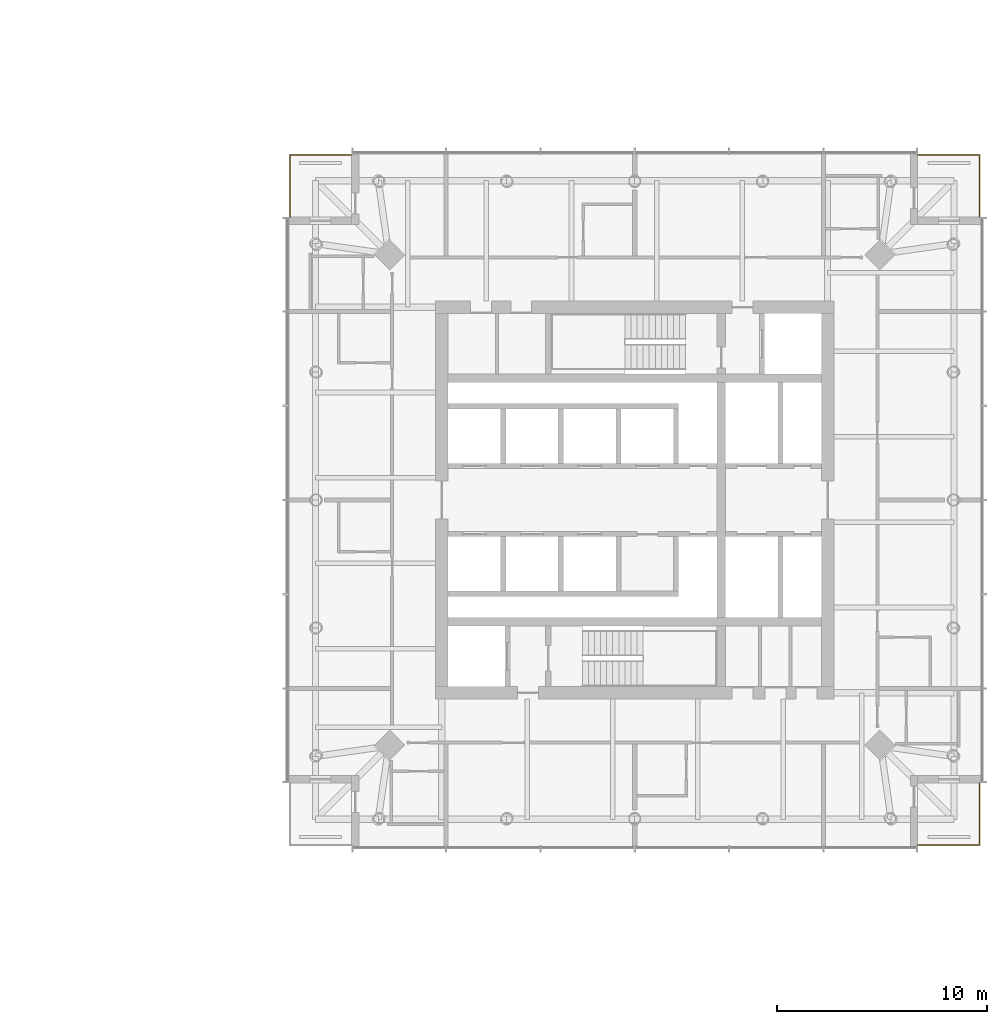
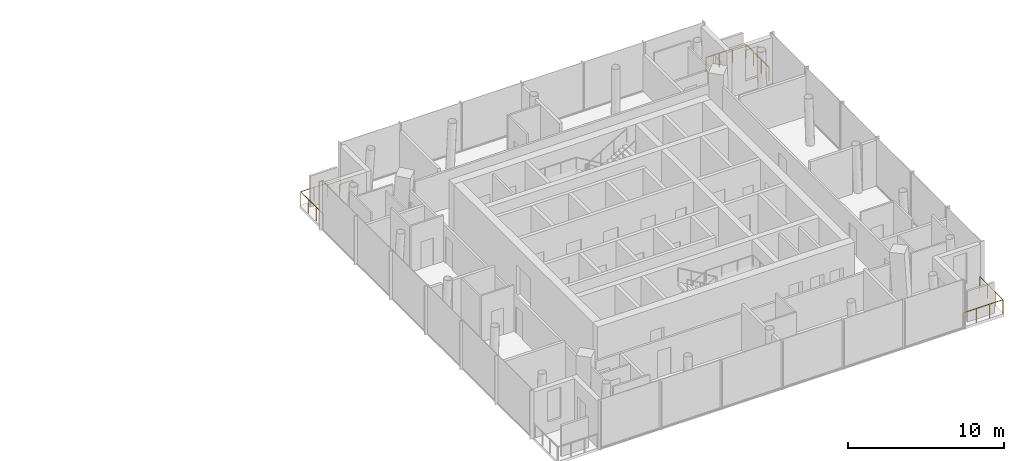
# One storey, part 20 of 20: 3 railings.
"""IFC4 building model written with IfcOpenShell, lengths in metres."""

from ifc_helpers import new_model, si_unit, direction, frame, origin, origin_2d, place, context, subcontext, project, spatial, circle, extrude, material, type_object, element, save


model = new_model("IFC4")

# Units and contexts
model_context = context("Model", 3, precision=1e-05, world=origin(), true_north=direction((0.0, 1.0)))
body_context = subcontext(model_context, "Body", "Model", "MODEL_VIEW")
ifc_project = project(units=[si_unit("LENGTHUNIT", "METRE"), si_unit("AREAUNIT", "SQUARE_METRE"), si_unit("VOLUMEUNIT", "CUBIC_METRE"), si_unit("PLANEANGLEUNIT", "RADIAN"), si_unit("MASSUNIT", "GRAM", prefix="KILO")], contexts=[model_context])

# Site, building, storey
site_placement = place(None, origin())
site = spatial("IfcSite", under=ifc_project, at=site_placement, CompositionType="ELEMENT")
building_placement = place(site_placement, origin())
building = spatial("IfcBuilding", under=site, at=building_placement, Name="Ostroluk Exchange", CompositionType="ELEMENT")
storey_placement = place(building_placement, frame((0.0, 0.0, 108.39990234375)))
storey = spatial("IfcBuildingStorey", under=building, at=storey_placement, Name="L27", CompositionType="ELEMENT", Elevation=108.39990234375)

# Railings
ifc_material = material(Name="Stainless steel", Category="steel")
railing_type = type_object("IfcRailingType", Name="Guard 1100 stainless steel", PredefinedType="GUARDRAIL", material=ifc_material)
railing_1_placement = place(storey_placement, frame((130.5, 29.550048828125, 0.0)))
element("IfcRailing", 1, at=railing_1_placement, inside=storey, type_object=railing_type, Name="Hotel tower SE balcony guard L27", PredefinedType="GUARDRAIL", context=body_context, shape_type="SweptSolid", body=[
    extrude(circle(Radius=0.02392578125, at=origin_2d()), frame((0.0, 0.0, 1.076171875), z_axis=(1.0, 0.0, 0.0), x_axis=(0.0, 1.0, 0.0)), (0.0, 0.0, 1.0), 2.949951171875),
    extrude(circle(Radius=0.02392578125, at=origin_2d()), frame((2.949951171875, 0.0, 1.076171875), z_axis=(0.0, 1.0, 0.0), x_axis=(-1.0, 0.0, 0.0)), (0.0, 0.0, 1.0), 2.949951171875),
    extrude(circle(Radius=0.02099609375, at=origin_2d()), origin(), (0.0, 0.0, 1.0), 1.052001953125),
    extrude(circle(Radius=0.02099609375, at=origin_2d()), frame((0.9833984375, 0.0, 0.0)), (0.0, 0.0, 1.0), 1.052001953125),
    extrude(circle(Radius=0.02099609375, at=origin_2d()), frame((1.966552734375, 0.0, 0.0)), (0.0, 0.0, 1.0), 1.052001953125),
    extrude(circle(Radius=0.02099609375, at=origin_2d()), frame((2.949951171875, 0.0, 0.0)), (0.0, 0.0, 1.0), 1.052001953125),
    extrude(circle(Radius=0.02099609375, at=origin_2d()), frame((2.949951171875, 0.9833984375, 0.0)), (0.0, 0.0, 1.0), 1.052001953125),
    extrude(circle(Radius=0.02099609375, at=origin_2d()), frame((2.949951171875, 1.966552734375, 0.0)), (0.0, 0.0, 1.0), 1.052001953125),
    extrude(circle(Radius=0.02099609375, at=origin_2d()), frame((2.949951171875, 2.949951171875, 0.0)), (0.0, 0.0, 1.0), 1.052001953125),
])
railing_2_placement = place(storey_placement, frame((130.5, 62.449951171875, 0.0)))
element("IfcRailing", 2, at=railing_2_placement, inside=storey, type_object=railing_type, Name="Hotel tower NE balcony guard L27", PredefinedType="GUARDRAIL", context=body_context, shape_type="SweptSolid", body=[
    extrude(circle(Radius=0.02392578125, at=origin_2d()), frame((0.0, 0.0, 1.076171875), z_axis=(1.0, 0.0, 0.0), x_axis=(0.0, 1.0, 0.0)), (0.0, 0.0, 1.0), 2.949951171875),
    extrude(circle(Radius=0.02392578125, at=origin_2d()), frame((2.949951171875, 0.0, 1.076171875), z_axis=(0.0, -1.0, 0.0), x_axis=(1.0, 0.0, 0.0)), (0.0, 0.0, 1.0), 2.949951171875),
    extrude(circle(Radius=0.02099609375, at=origin_2d()), origin(), (0.0, 0.0, 1.0), 1.052001953125),
    extrude(circle(Radius=0.02099609375, at=origin_2d()), frame((0.9833984375, 0.0, 0.0)), (0.0, 0.0, 1.0), 1.052001953125),
    extrude(circle(Radius=0.02099609375, at=origin_2d()), frame((1.966552734375, 0.0, 0.0)), (0.0, 0.0, 1.0), 1.052001953125),
    extrude(circle(Radius=0.02099609375, at=origin_2d()), frame((2.949951171875, 0.0, 0.0)), (0.0, 0.0, 1.0), 1.052001953125),
    extrude(circle(Radius=0.02099609375, at=origin_2d()), frame((2.949951171875, -0.9833984375, 0.0)), (0.0, 0.0, 1.0), 1.052001953125),
    extrude(circle(Radius=0.02099609375, at=origin_2d()), frame((2.949951171875, -1.966552734375, 0.0)), (0.0, 0.0, 1.0), 1.052001953125),
    extrude(circle(Radius=0.02099609375, at=origin_2d()), frame((2.949951171875, -2.949951171875, 0.0)), (0.0, 0.0, 1.0), 1.052001953125),
])
railing_3_placement = place(storey_placement, frame((103.5, 62.449951171875, 0.0)))
element("IfcRailing", 3, at=railing_3_placement, inside=storey, type_object=railing_type, Name="Hotel tower NW balcony guard L27", PredefinedType="GUARDRAIL", context=body_context, shape_type="SweptSolid", body=[
    extrude(circle(Radius=0.02392578125, at=origin_2d()), frame((0.0, 0.0, 1.076171875), z_axis=(-1.0, 0.0, 0.0), x_axis=(0.0, -1.0, 0.0)), (0.0, 0.0, 1.0), 2.949951171875),
    extrude(circle(Radius=0.02392578125, at=origin_2d()), frame((-2.949951171875, 0.0, 1.076171875), z_axis=(0.0, -1.0, 0.0), x_axis=(1.0, 0.0, 0.0)), (0.0, 0.0, 1.0), 2.949951171875),
    extrude(circle(Radius=0.02099609375, at=origin_2d()), origin(), (0.0, 0.0, 1.0), 1.052001953125),
    extrude(circle(Radius=0.02099609375, at=origin_2d()), frame((-0.9833984375, 0.0, 0.0)), (0.0, 0.0, 1.0), 1.052001953125),
    extrude(circle(Radius=0.02099609375, at=origin_2d()), frame((-1.966552734375, 0.0, 0.0)), (0.0, 0.0, 1.0), 1.052001953125),
    extrude(circle(Radius=0.02099609375, at=origin_2d()), frame((-2.949951171875, 0.0, 0.0)), (0.0, 0.0, 1.0), 1.052001953125),
    extrude(circle(Radius=0.02099609375, at=origin_2d()), frame((-2.949951171875, -0.9833984375, 0.0)), (0.0, 0.0, 1.0), 1.052001953125),
    extrude(circle(Radius=0.02099609375, at=origin_2d()), frame((-2.949951171875, -1.966552734375, 0.0)), (0.0, 0.0, 1.0), 1.052001953125),
    extrude(circle(Radius=0.02099609375, at=origin_2d()), frame((-2.949951171875, -2.949951171875, 0.0)), (0.0, 0.0, 1.0), 1.052001953125),
])

save(model, "model.ifc")
